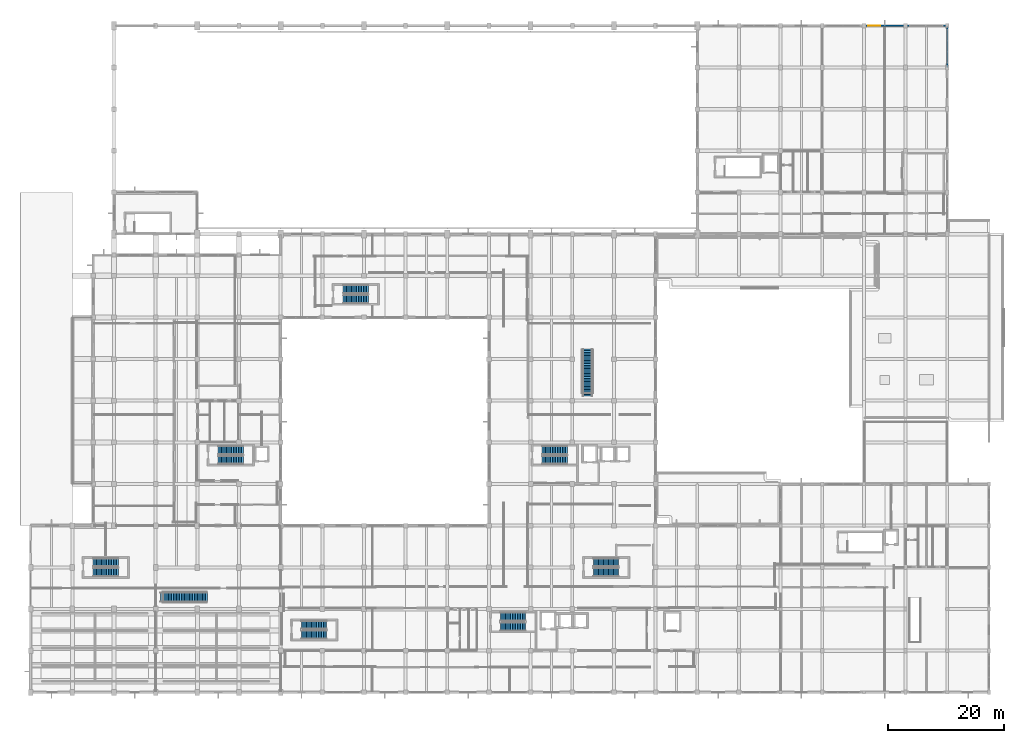
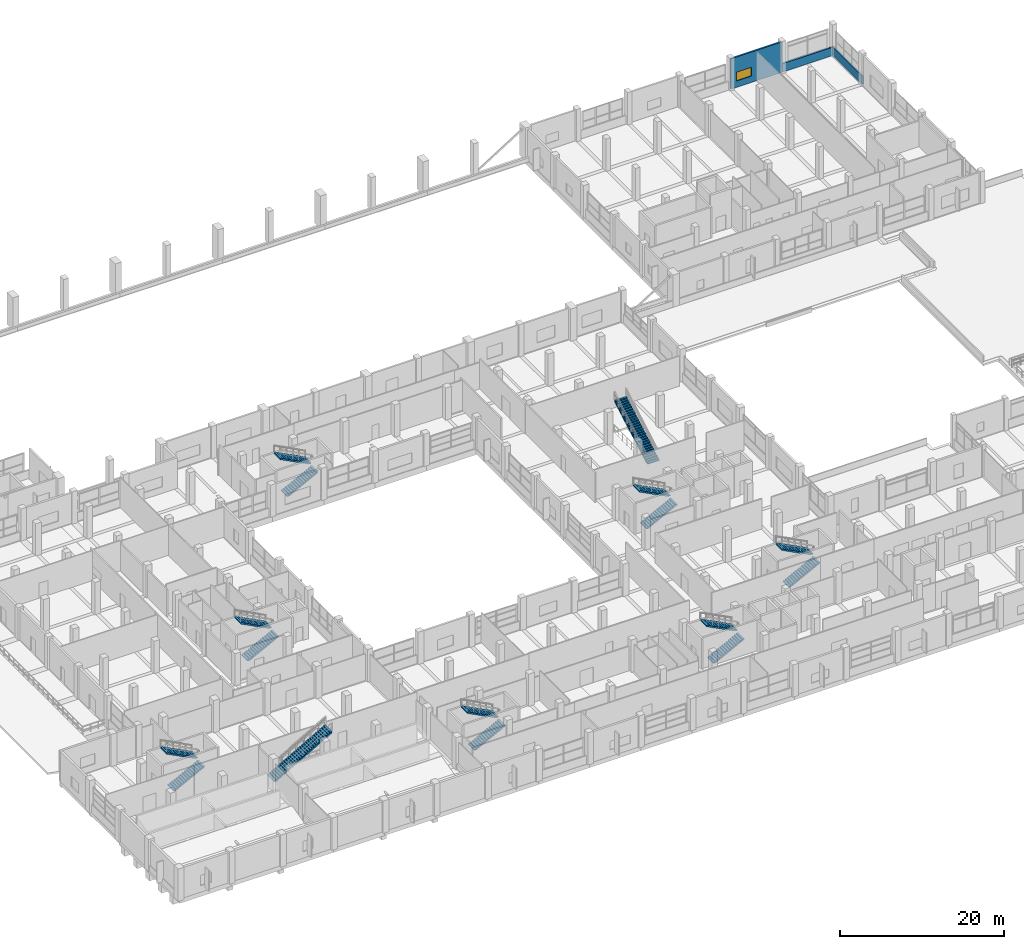
# One storey, part 131 of 140: 16 stair flights, 3 walls, 1 window, 1 opening, 9 elements without a shape of their own.
"""IFC4 building model written with IfcOpenShell, lengths in metres."""

from ifc_helpers import new_model, si_unit, direction, frame, frame_2d, origin, place, context, subcontext, project, spatial, polyline, rectangle, outline, extrude, material, layer, layer_set, type_object, element, fill, aggregate, save


model = new_model("IFC4")

# Units and contexts
model_context = context("Model", 3, precision=1e-05, world=origin(), true_north=direction((0.0, 1.0)))
body_context = subcontext(model_context, "Body", "Model", "MODEL_VIEW")
ifc_project = project(units=[si_unit("LENGTHUNIT", "METRE"), si_unit("AREAUNIT", "SQUARE_METRE"), si_unit("VOLUMEUNIT", "CUBIC_METRE"), si_unit("PLANEANGLEUNIT", "RADIAN"), si_unit("MASSUNIT", "GRAM", prefix="KILO")], contexts=[model_context])

# Site, building, storey
site_placement = place(None, origin())
site = spatial("IfcSite", under=ifc_project, at=site_placement, CompositionType="ELEMENT")
building_placement = place(site_placement, origin())
building = spatial("IfcBuilding", under=site, at=building_placement, Name="Seraya Terrace Polytechnic", CompositionType="ELEMENT")
storey_placement = place(building_placement, frame((0.0, 0.0, 9.60009765625)))
storey = spatial("IfcBuildingStorey", under=building, at=storey_placement, Name="L02", CompositionType="ELEMENT", Elevation=9.60009765625)

# Wall, opening, window
ifc_material_1 = material(Name="Concrete C40/50", Category="concrete")
ifc_layer_1 = layer(ifc_material_1, 0.239990234375, Name="EW-04")
ifc_layer_set_1 = layer_set([ifc_layer_1], Name="Concrete C40/50")
wall_type_1 = type_object("IfcWallType", Name="EW-04", PredefinedType="SOLIDWALL", material=ifc_layer_set_1)
wall_1_placement = place(storey_placement, frame((144.0, 115.199951171875, 0.0), z_axis=(0.0, 0.0, 1.0), x_axis=(1.0, 0.0, 0.0)))
wall_1 = element("IfcWall", 1, at=wall_1_placement, inside=storey, type_object=wall_type_1, Name="Exterior structural wall EW-04 L02", PredefinedType="SOLIDWALL", context=body_context, shape_type="SweptSolid", body=[
    extrude(rectangle(XDim=7.199951171875, YDim=0.239990234375, at=frame_2d((3.60009765625, 0.0))), origin(), (0.0, 0.0, 1.0), 4.52001953125),
])
opening_placement = place(wall_1_placement, frame((0.760009765625, 0.0, 0.949951171875)))
opening = element("IfcOpeningElement", 2, at=opening_placement, cuts=wall_1, Name="Opening WN-08", PredefinedType="OPENING", context=body_context, shape_type="SweptSolid", body=[
    extrude(rectangle(XDim=2.10009765625, YDim=1.300048828125, at=frame_2d((1.050048828125, 0.64990234375))), frame((0.0, 0.1318359375, 0.0), z_axis=(0.0, -1.0, 0.0), x_axis=(1.0, 0.0, 0.0)), (0.0, 0.0, 1.0), 0.263916015625),
])
ifc_material_2 = material(Name="Laminated solar-control Low-E double glazing", Category="glass")
window_type = type_object("IfcWindowType", Name="WN-08", PartitioningType="SINGLE_PANEL", PredefinedType="WINDOW", material=ifc_material_2)
window_placement = place(opening_placement, origin())
window = element("IfcWindow", 3, at=window_placement, inside=storey, type_object=window_type, Name="Exterior window WN-08 L02", OverallHeight=1.300048828125, OverallWidth=2.10009765625, PartitioningType="SINGLE_PANEL", PredefinedType="WINDOW", context=body_context, shape_type="SweptSolid", body=[
    extrude(rectangle(XDim=2.10009765625, YDim=1.300048828125, at=frame_2d((1.050048828125, 0.64990234375))), frame((0.0, 0.030029296875, 0.0), z_axis=(0.0, -1.0, 0.0), x_axis=(1.0, 0.0, 0.0)), (0.0, 0.0, 1.0), 0.06005859375),
])
fill(opening, window)

# Walls
ifc_material_3 = material(Name="Precast concrete C40/50", Category="concrete")
ifc_layer_2 = layer(ifc_material_3, 0.219970703125, Name="EW-05")
ifc_layer_set_2 = layer_set([ifc_layer_2], Name="Precast concrete C40/50")
wall_type_2 = type_object("IfcWallType", Name="EW-05", PredefinedType="SOLIDWALL", material=ifc_layer_set_2)
wall_2_placement = place(storey_placement, frame((158.39990234375, 115.048095703125, 0.0), z_axis=(0.0, 0.0, 1.0), x_axis=(0.0, -1.0, 0.0)))
element("IfcWall", 4, at=wall_2_placement, inside=storey, type_object=wall_type_2, Name="Precast spandrel wall L02", PredefinedType="SOLIDWALL", context=body_context, shape_type="SweptSolid", body=[
    extrude(rectangle(XDim=7.048095703125, YDim=0.219970703125, at=frame_2d((3.52392578125, 0.0))), origin(), (0.0, 0.0, 1.0), 1.239990234375),
])
wall_3_placement = place(storey_placement, frame((151.199951171875, 115.199951171875, 0.0), z_axis=(0.0, 0.0, 1.0), x_axis=(1.0, 0.0, 0.0)))
element("IfcWall", 5, at=wall_3_placement, inside=storey, type_object=wall_type_2, Name="Precast spandrel wall L02", PredefinedType="SOLIDWALL", context=body_context, shape_type="SweptSolid", body=[
    extrude(rectangle(XDim=7.35009765625, YDim=0.219970703125, at=frame_2d((3.675048828125, 0.0))), origin(), (0.0, 0.0, 1.0), 1.239990234375),
])

# Stair, stair flights
stair_type_1 = type_object("IfcStairType", Name="ST-T1", PredefinedType="HALF_TURN_STAIR", material=ifc_material_1)
stair_1_placement = place(storey_placement, origin())
stair_1 = element("IfcStair", 6, at=stair_1_placement, inside=storey, type_object=stair_type_1, Name="L02 Protected exit stair ST-01", PredefinedType="HALF_TURN_STAIR")
stair_flight_type_1 = type_object("IfcStairFlightType", Name="SF-01", PredefinedType="STRAIGHT", material=ifc_material_1)
stair_flight_1_placement = place(storey_placement, frame((81.199951171875, 11.35009765625, 0.0), z_axis=(0.0, 0.0, 1.0), x_axis=(1.0, 0.0, 0.0)))
stair_flight_1 = element("IfcStairFlight", 7, at=stair_flight_1_placement, type_object=stair_flight_type_1, Name="ST-01 flight 1", NumberOfRisers=16, NumberOfTreads=15, PredefinedType="STRAIGHT", RiserHeight=0.15, TreadLength=0.29, context=body_context, shape_type="SweptSolid", body=[
    extrude(outline(polyline([(0.0, 0.0), (0.0, 0.14990234375), (0.2900390625, 0.14990234375), (0.2900390625, 0.300048828125), (0.580078125, 0.300048828125), (0.580078125, 0.449951171875), (0.8701171875, 0.449951171875), (0.8701171875, 0.60009765625), (1.159912109375, 0.60009765625), (1.159912109375, 0.75), (1.449951171875, 0.75), (1.449951171875, 0.89990234375), (1.739990234375, 0.89990234375), (1.739990234375, 1.050048828125), (2.030029296875, 1.050048828125), (2.030029296875, 1.199951171875), (2.320068359375, 1.199951171875), (2.320068359375, 1.35009765625), (2.610107421875, 1.35009765625), (2.610107421875, 1.5), (2.89990234375, 1.5), (2.89990234375, 1.64990234375), (3.18994140625, 1.64990234375), (3.18994140625, 1.800048828125), (3.47998046875, 1.800048828125), (3.47998046875, 1.949951171875), (3.77001953125, 1.949951171875), (3.77001953125, 2.10009765625), (4.06005859375, 2.10009765625), (4.06005859375, 2.25), (4.35009765625, 2.25), (4.35009765625, 2.39990234375), (4.35009765625, 2.070068359375), (0.34814453125, 0.0), (0.0, 0.0)])), frame((0.0, 0.75, 0.0), z_axis=(0.0, -1.0, 0.0), x_axis=(1.0, 0.0, 0.0)), (0.0, 0.0, 1.0), 1.5),
])
stair_flight_2_placement = place(storey_placement, frame((85.550048828125, 13.050048828125, 2.39990234375), z_axis=(0.0, 0.0, 1.0), x_axis=(-1.0, 0.0, 0.0)))
stair_flight_2 = element("IfcStairFlight", 8, at=stair_flight_2_placement, type_object=stair_flight_type_1, Name="ST-01 flight 2", NumberOfRisers=16, NumberOfTreads=15, PredefinedType="STRAIGHT", RiserHeight=0.15, TreadLength=0.29, context=body_context, shape_type="SweptSolid", body=[
    extrude(outline(polyline([(0.0, 0.0), (0.0, 0.14990234375), (0.2900390625, 0.14990234375), (0.2900390625, 0.300048828125), (0.580078125, 0.300048828125), (0.580078125, 0.449951171875), (0.8701171875, 0.449951171875), (0.8701171875, 0.60009765625), (1.159912109375, 0.60009765625), (1.159912109375, 0.75), (1.449951171875, 0.75), (1.449951171875, 0.89990234375), (1.739990234375, 0.89990234375), (1.739990234375, 1.050048828125), (2.030029296875, 1.050048828125), (2.030029296875, 1.199951171875), (2.320068359375, 1.199951171875), (2.320068359375, 1.35009765625), (2.610107421875, 1.35009765625), (2.610107421875, 1.5), (2.89990234375, 1.5), (2.89990234375, 1.64990234375), (3.18994140625, 1.64990234375), (3.18994140625, 1.800048828125), (3.47998046875, 1.800048828125), (3.47998046875, 1.949951171875), (3.77001953125, 1.949951171875), (3.77001953125, 2.10009765625), (4.06005859375, 2.10009765625), (4.06005859375, 2.25), (4.35009765625, 2.25), (4.35009765625, 2.39990234375), (4.35009765625, 2.070068359375), (0.34814453125, 0.0), (0.0, 0.0)])), frame((0.0, 0.75, 0.0), z_axis=(0.0, -1.0, 0.0), x_axis=(1.0, 0.0, 0.0)), (0.0, 0.0, 1.0), 1.5),
])
aggregate(stair_1, [stair_flight_1, stair_flight_2])

stair_2_placement = place(storey_placement, origin())
stair_2 = element("IfcStair", 9, at=stair_2_placement, inside=storey, type_object=stair_type_1, Name="L02 Protected exit stair ST-02", PredefinedType="HALF_TURN_STAIR")
stair_flight_3_placement = place(storey_placement, frame((88.39990234375, 40.14990234375, 0.0), z_axis=(0.0, 0.0, 1.0), x_axis=(1.0, 0.0, 0.0)))
stair_flight_3 = element("IfcStairFlight", 10, at=stair_flight_3_placement, type_object=stair_flight_type_1, Name="ST-02 flight 1", NumberOfRisers=16, NumberOfTreads=15, PredefinedType="STRAIGHT", RiserHeight=0.15, TreadLength=0.29, context=body_context, shape_type="SweptSolid", body=[
    extrude(outline(polyline([(0.0, 0.0), (0.0, 0.14990234375), (0.2900390625, 0.14990234375), (0.2900390625, 0.300048828125), (0.580078125, 0.300048828125), (0.580078125, 0.449951171875), (0.8701171875, 0.449951171875), (0.8701171875, 0.60009765625), (1.159912109375, 0.60009765625), (1.159912109375, 0.75), (1.449951171875, 0.75), (1.449951171875, 0.89990234375), (1.739990234375, 0.89990234375), (1.739990234375, 1.050048828125), (2.030029296875, 1.050048828125), (2.030029296875, 1.199951171875), (2.320068359375, 1.199951171875), (2.320068359375, 1.35009765625), (2.610107421875, 1.35009765625), (2.610107421875, 1.5), (2.89990234375, 1.5), (2.89990234375, 1.64990234375), (3.18994140625, 1.64990234375), (3.18994140625, 1.800048828125), (3.47998046875, 1.800048828125), (3.47998046875, 1.949951171875), (3.77001953125, 1.949951171875), (3.77001953125, 2.10009765625), (4.06005859375, 2.10009765625), (4.06005859375, 2.25), (4.35009765625, 2.25), (4.35009765625, 2.39990234375), (4.35009765625, 2.070068359375), (0.34814453125, 0.0), (0.0, 0.0)])), frame((0.0, 0.75, 0.0), z_axis=(0.0, -1.0, 0.0), x_axis=(1.0, 0.0, 0.0)), (0.0, 0.0, 1.0), 1.5),
])
stair_flight_4_placement = place(storey_placement, frame((92.75, 41.85009765625, 2.39990234375), z_axis=(0.0, 0.0, 1.0), x_axis=(-1.0, 0.0, 0.0)))
stair_flight_4 = element("IfcStairFlight", 11, at=stair_flight_4_placement, type_object=stair_flight_type_1, Name="ST-02 flight 2", NumberOfRisers=16, NumberOfTreads=15, PredefinedType="STRAIGHT", RiserHeight=0.15, TreadLength=0.29, context=body_context, shape_type="SweptSolid", body=[
    extrude(outline(polyline([(0.0, 0.0), (0.0, 0.14990234375), (0.2900390625, 0.14990234375), (0.2900390625, 0.300048828125), (0.580078125, 0.300048828125), (0.580078125, 0.449951171875), (0.8701171875, 0.449951171875), (0.8701171875, 0.60009765625), (1.159912109375, 0.60009765625), (1.159912109375, 0.75), (1.449951171875, 0.75), (1.449951171875, 0.89990234375), (1.739990234375, 0.89990234375), (1.739990234375, 1.050048828125), (2.030029296875, 1.050048828125), (2.030029296875, 1.199951171875), (2.320068359375, 1.199951171875), (2.320068359375, 1.35009765625), (2.610107421875, 1.35009765625), (2.610107421875, 1.5), (2.89990234375, 1.5), (2.89990234375, 1.64990234375), (3.18994140625, 1.64990234375), (3.18994140625, 1.800048828125), (3.47998046875, 1.800048828125), (3.47998046875, 1.949951171875), (3.77001953125, 1.949951171875), (3.77001953125, 2.10009765625), (4.06005859375, 2.10009765625), (4.06005859375, 2.25), (4.35009765625, 2.25), (4.35009765625, 2.39990234375), (4.35009765625, 2.070068359375), (0.34814453125, 0.0), (0.0, 0.0)])), frame((0.0, 0.75, 0.0), z_axis=(0.0, -1.0, 0.0), x_axis=(1.0, 0.0, 0.0)), (0.0, 0.0, 1.0), 1.5),
])
aggregate(stair_2, [stair_flight_3, stair_flight_4])

stair_3_placement = place(storey_placement, origin())
stair_3 = element("IfcStair", 12, at=stair_3_placement, inside=storey, type_object=stair_type_1, Name="L02 Protected exit stair ST-03", PredefinedType="HALF_TURN_STAIR")
stair_flight_5_placement = place(storey_placement, frame((46.800048828125, 9.949951171875, 0.0), z_axis=(0.0, 0.0, 1.0), x_axis=(1.0, 0.0, 0.0)))
stair_flight_5 = element("IfcStairFlight", 13, at=stair_flight_5_placement, type_object=stair_flight_type_1, Name="ST-03 flight 1", NumberOfRisers=16, NumberOfTreads=15, PredefinedType="STRAIGHT", RiserHeight=0.15, TreadLength=0.29, context=body_context, shape_type="SweptSolid", body=[
    extrude(outline(polyline([(0.0, 0.0), (0.0, 0.14990234375), (0.2900390625, 0.14990234375), (0.2900390625, 0.300048828125), (0.580078125, 0.300048828125), (0.580078125, 0.449951171875), (0.8701171875, 0.449951171875), (0.8701171875, 0.60009765625), (1.159912109375, 0.60009765625), (1.159912109375, 0.75), (1.449951171875, 0.75), (1.449951171875, 0.89990234375), (1.739990234375, 0.89990234375), (1.739990234375, 1.050048828125), (2.030029296875, 1.050048828125), (2.030029296875, 1.199951171875), (2.320068359375, 1.199951171875), (2.320068359375, 1.35009765625), (2.610107421875, 1.35009765625), (2.610107421875, 1.5), (2.89990234375, 1.5), (2.89990234375, 1.64990234375), (3.18994140625, 1.64990234375), (3.18994140625, 1.800048828125), (3.47998046875, 1.800048828125), (3.47998046875, 1.949951171875), (3.77001953125, 1.949951171875), (3.77001953125, 2.10009765625), (4.06005859375, 2.10009765625), (4.06005859375, 2.25), (4.35009765625, 2.25), (4.35009765625, 2.39990234375), (4.35009765625, 2.070068359375), (0.34814453125, 0.0), (0.0, 0.0)])), frame((0.0, 0.75, 0.0), z_axis=(0.0, -1.0, 0.0), x_axis=(1.0, 0.0, 0.0)), (0.0, 0.0, 1.0), 1.5),
])
stair_flight_6_placement = place(storey_placement, frame((51.14990234375, 11.64990234375, 2.39990234375), z_axis=(0.0, 0.0, 1.0), x_axis=(-1.0, 0.0, 0.0)))
stair_flight_6 = element("IfcStairFlight", 14, at=stair_flight_6_placement, type_object=stair_flight_type_1, Name="ST-03 flight 2", NumberOfRisers=16, NumberOfTreads=15, PredefinedType="STRAIGHT", RiserHeight=0.15, TreadLength=0.29, context=body_context, shape_type="SweptSolid", body=[
    extrude(outline(polyline([(0.0, 0.0), (0.0, 0.14990234375), (0.2900390625, 0.14990234375), (0.2900390625, 0.300048828125), (0.580078125, 0.300048828125), (0.580078125, 0.449951171875), (0.8701171875, 0.449951171875), (0.8701171875, 0.60009765625), (1.159912109375, 0.60009765625), (1.159912109375, 0.75), (1.449951171875, 0.75), (1.449951171875, 0.89990234375), (1.739990234375, 0.89990234375), (1.739990234375, 1.050048828125), (2.030029296875, 1.050048828125), (2.030029296875, 1.199951171875), (2.320068359375, 1.199951171875), (2.320068359375, 1.35009765625), (2.610107421875, 1.35009765625), (2.610107421875, 1.5), (2.89990234375, 1.5), (2.89990234375, 1.64990234375), (3.18994140625, 1.64990234375), (3.18994140625, 1.800048828125), (3.47998046875, 1.800048828125), (3.47998046875, 1.949951171875), (3.77001953125, 1.949951171875), (3.77001953125, 2.10009765625), (4.06005859375, 2.10009765625), (4.06005859375, 2.25), (4.35009765625, 2.25), (4.35009765625, 2.39990234375), (4.35009765625, 2.070068359375), (0.34814453125, 0.0), (0.0, 0.0)])), frame((0.0, 0.75, 0.0), z_axis=(0.0, -1.0, 0.0), x_axis=(1.0, 0.0, 0.0)), (0.0, 0.0, 1.0), 1.5),
])
aggregate(stair_3, [stair_flight_5, stair_flight_6])

stair_4_placement = place(storey_placement, origin())
stair_4 = element("IfcStair", 15, at=stair_4_placement, inside=storey, type_object=stair_type_1, Name="L02 Protected exit stair ST-04", PredefinedType="HALF_TURN_STAIR")
stair_flight_7_placement = place(storey_placement, frame((32.39990234375, 40.14990234375, 0.0), z_axis=(0.0, 0.0, 1.0), x_axis=(1.0, 0.0, 0.0)))
stair_flight_7 = element("IfcStairFlight", 16, at=stair_flight_7_placement, type_object=stair_flight_type_1, Name="ST-04 flight 1", NumberOfRisers=16, NumberOfTreads=15, PredefinedType="STRAIGHT", RiserHeight=0.15, TreadLength=0.29, context=body_context, shape_type="SweptSolid", body=[
    extrude(outline(polyline([(0.0, 0.0), (0.0, 0.14990234375), (0.2900390625, 0.14990234375), (0.2900390625, 0.300048828125), (0.580078125, 0.300048828125), (0.580078125, 0.449951171875), (0.8701171875, 0.449951171875), (0.8701171875, 0.60009765625), (1.159912109375, 0.60009765625), (1.159912109375, 0.75), (1.449951171875, 0.75), (1.449951171875, 0.89990234375), (1.739990234375, 0.89990234375), (1.739990234375, 1.050048828125), (2.030029296875, 1.050048828125), (2.030029296875, 1.199951171875), (2.320068359375, 1.199951171875), (2.320068359375, 1.35009765625), (2.610107421875, 1.35009765625), (2.610107421875, 1.5), (2.89990234375, 1.5), (2.89990234375, 1.64990234375), (3.18994140625, 1.64990234375), (3.18994140625, 1.800048828125), (3.47998046875, 1.800048828125), (3.47998046875, 1.949951171875), (3.77001953125, 1.949951171875), (3.77001953125, 2.10009765625), (4.06005859375, 2.10009765625), (4.06005859375, 2.25), (4.35009765625, 2.25), (4.35009765625, 2.39990234375), (4.35009765625, 2.070068359375), (0.34814453125, 0.0), (0.0, 0.0)])), frame((0.0, 0.75, 0.0), z_axis=(0.0, -1.0, 0.0), x_axis=(1.0, 0.0, 0.0)), (0.0, 0.0, 1.0), 1.5),
])
stair_flight_8_placement = place(storey_placement, frame((36.75, 41.85009765625, 2.39990234375), z_axis=(0.0, 0.0, 1.0), x_axis=(-1.0, 0.0, 0.0)))
stair_flight_8 = element("IfcStairFlight", 17, at=stair_flight_8_placement, type_object=stair_flight_type_1, Name="ST-04 flight 2", NumberOfRisers=16, NumberOfTreads=15, PredefinedType="STRAIGHT", RiserHeight=0.15, TreadLength=0.29, context=body_context, shape_type="SweptSolid", body=[
    extrude(outline(polyline([(0.0, 0.0), (0.0, 0.14990234375), (0.2900390625, 0.14990234375), (0.2900390625, 0.300048828125), (0.580078125, 0.300048828125), (0.580078125, 0.449951171875), (0.8701171875, 0.449951171875), (0.8701171875, 0.60009765625), (1.159912109375, 0.60009765625), (1.159912109375, 0.75), (1.449951171875, 0.75), (1.449951171875, 0.89990234375), (1.739990234375, 0.89990234375), (1.739990234375, 1.050048828125), (2.030029296875, 1.050048828125), (2.030029296875, 1.199951171875), (2.320068359375, 1.199951171875), (2.320068359375, 1.35009765625), (2.610107421875, 1.35009765625), (2.610107421875, 1.5), (2.89990234375, 1.5), (2.89990234375, 1.64990234375), (3.18994140625, 1.64990234375), (3.18994140625, 1.800048828125), (3.47998046875, 1.800048828125), (3.47998046875, 1.949951171875), (3.77001953125, 1.949951171875), (3.77001953125, 2.10009765625), (4.06005859375, 2.10009765625), (4.06005859375, 2.25), (4.35009765625, 2.25), (4.35009765625, 2.39990234375), (4.35009765625, 2.070068359375), (0.34814453125, 0.0), (0.0, 0.0)])), frame((0.0, 0.75, 0.0), z_axis=(0.0, -1.0, 0.0), x_axis=(1.0, 0.0, 0.0)), (0.0, 0.0, 1.0), 1.5),
])
aggregate(stair_4, [stair_flight_7, stair_flight_8])

stair_5_placement = place(storey_placement, origin())
stair_5 = element("IfcStair", 18, at=stair_5_placement, inside=storey, type_object=stair_type_1, Name="L02 Protected exit stair ST-05", PredefinedType="HALF_TURN_STAIR")
stair_flight_9_placement = place(storey_placement, frame((97.25, 20.75, 0.0), z_axis=(0.0, 0.0, 1.0), x_axis=(1.0, 0.0, 0.0)))
stair_flight_9 = element("IfcStairFlight", 19, at=stair_flight_9_placement, type_object=stair_flight_type_1, Name="ST-05 flight 1", NumberOfRisers=16, NumberOfTreads=15, PredefinedType="STRAIGHT", RiserHeight=0.15, TreadLength=0.29, context=body_context, shape_type="SweptSolid", body=[
    extrude(outline(polyline([(0.0, 0.0), (0.0, 0.14990234375), (0.2900390625, 0.14990234375), (0.2900390625, 0.300048828125), (0.580078125, 0.300048828125), (0.580078125, 0.449951171875), (0.8701171875, 0.449951171875), (0.8701171875, 0.60009765625), (1.159912109375, 0.60009765625), (1.159912109375, 0.75), (1.449951171875, 0.75), (1.449951171875, 0.89990234375), (1.739990234375, 0.89990234375), (1.739990234375, 1.050048828125), (2.030029296875, 1.050048828125), (2.030029296875, 1.199951171875), (2.320068359375, 1.199951171875), (2.320068359375, 1.35009765625), (2.610107421875, 1.35009765625), (2.610107421875, 1.5), (2.89990234375, 1.5), (2.89990234375, 1.64990234375), (3.18994140625, 1.64990234375), (3.18994140625, 1.800048828125), (3.47998046875, 1.800048828125), (3.47998046875, 1.949951171875), (3.77001953125, 1.949951171875), (3.77001953125, 2.10009765625), (4.06005859375, 2.10009765625), (4.06005859375, 2.25), (4.35009765625, 2.25), (4.35009765625, 2.39990234375), (4.35009765625, 2.070068359375), (0.34814453125, 0.0), (0.0, 0.0)])), frame((0.0, 0.75, 0.0), z_axis=(0.0, -1.0, 0.0), x_axis=(1.0, 0.0, 0.0)), (0.0, 0.0, 1.0), 1.5),
])
stair_flight_10_placement = place(storey_placement, frame((101.60009765625, 22.449951171875, 2.39990234375), z_axis=(0.0, 0.0, 1.0), x_axis=(-1.0, 0.0, 0.0)))
stair_flight_10 = element("IfcStairFlight", 20, at=stair_flight_10_placement, type_object=stair_flight_type_1, Name="ST-05 flight 2", NumberOfRisers=16, NumberOfTreads=15, PredefinedType="STRAIGHT", RiserHeight=0.15, TreadLength=0.29, context=body_context, shape_type="SweptSolid", body=[
    extrude(outline(polyline([(0.0, 0.0), (0.0, 0.14990234375), (0.2900390625, 0.14990234375), (0.2900390625, 0.300048828125), (0.580078125, 0.300048828125), (0.580078125, 0.449951171875), (0.8701171875, 0.449951171875), (0.8701171875, 0.60009765625), (1.159912109375, 0.60009765625), (1.159912109375, 0.75), (1.449951171875, 0.75), (1.449951171875, 0.89990234375), (1.739990234375, 0.89990234375), (1.739990234375, 1.050048828125), (2.030029296875, 1.050048828125), (2.030029296875, 1.199951171875), (2.320068359375, 1.199951171875), (2.320068359375, 1.35009765625), (2.610107421875, 1.35009765625), (2.610107421875, 1.5), (2.89990234375, 1.5), (2.89990234375, 1.64990234375), (3.18994140625, 1.64990234375), (3.18994140625, 1.800048828125), (3.47998046875, 1.800048828125), (3.47998046875, 1.949951171875), (3.77001953125, 1.949951171875), (3.77001953125, 2.10009765625), (4.06005859375, 2.10009765625), (4.06005859375, 2.25), (4.35009765625, 2.25), (4.35009765625, 2.39990234375), (4.35009765625, 2.070068359375), (0.34814453125, 0.0), (0.0, 0.0)])), frame((0.0, 0.75, 0.0), z_axis=(0.0, -1.0, 0.0), x_axis=(1.0, 0.0, 0.0)), (0.0, 0.0, 1.0), 1.5),
])
aggregate(stair_5, [stair_flight_9, stair_flight_10])

stair_6_placement = place(storey_placement, origin())
stair_6 = element("IfcStair", 21, at=stair_6_placement, inside=storey, type_object=stair_type_1, Name="L02 Protected exit stair ST-06", PredefinedType="HALF_TURN_STAIR")
stair_flight_11_placement = place(storey_placement, frame((54.0, 67.949951171875, 0.0), z_axis=(0.0, 0.0, 1.0), x_axis=(1.0, 0.0, 0.0)))
stair_flight_11 = element("IfcStairFlight", 22, at=stair_flight_11_placement, type_object=stair_flight_type_1, Name="ST-06 flight 1", NumberOfRisers=16, NumberOfTreads=15, PredefinedType="STRAIGHT", RiserHeight=0.15, TreadLength=0.29, context=body_context, shape_type="SweptSolid", body=[
    extrude(outline(polyline([(0.0, 0.0), (0.0, 0.14990234375), (0.2900390625, 0.14990234375), (0.2900390625, 0.300048828125), (0.580078125, 0.300048828125), (0.580078125, 0.449951171875), (0.8701171875, 0.449951171875), (0.8701171875, 0.60009765625), (1.159912109375, 0.60009765625), (1.159912109375, 0.75), (1.449951171875, 0.75), (1.449951171875, 0.89990234375), (1.739990234375, 0.89990234375), (1.739990234375, 1.050048828125), (2.030029296875, 1.050048828125), (2.030029296875, 1.199951171875), (2.320068359375, 1.199951171875), (2.320068359375, 1.35009765625), (2.610107421875, 1.35009765625), (2.610107421875, 1.5), (2.89990234375, 1.5), (2.89990234375, 1.64990234375), (3.18994140625, 1.64990234375), (3.18994140625, 1.800048828125), (3.47998046875, 1.800048828125), (3.47998046875, 1.949951171875), (3.77001953125, 1.949951171875), (3.77001953125, 2.10009765625), (4.06005859375, 2.10009765625), (4.06005859375, 2.25), (4.35009765625, 2.25), (4.35009765625, 2.39990234375), (4.35009765625, 2.070068359375), (0.34814453125, 0.0), (0.0, 0.0)])), frame((0.0, 0.75, 0.0), z_axis=(0.0, -1.0, 0.0), x_axis=(1.0, 0.0, 0.0)), (0.0, 0.0, 1.0), 1.5),
])
stair_flight_12_placement = place(storey_placement, frame((58.35009765625, 69.64990234375, 2.39990234375), z_axis=(0.0, 0.0, 1.0), x_axis=(-1.0, 0.0, 0.0)))
stair_flight_12 = element("IfcStairFlight", 23, at=stair_flight_12_placement, type_object=stair_flight_type_1, Name="ST-06 flight 2", NumberOfRisers=16, NumberOfTreads=15, PredefinedType="STRAIGHT", RiserHeight=0.15, TreadLength=0.29, context=body_context, shape_type="SweptSolid", body=[
    extrude(outline(polyline([(0.0, 0.0), (0.0, 0.14990234375), (0.2900390625, 0.14990234375), (0.2900390625, 0.300048828125), (0.580078125, 0.300048828125), (0.580078125, 0.449951171875), (0.8701171875, 0.449951171875), (0.8701171875, 0.60009765625), (1.159912109375, 0.60009765625), (1.159912109375, 0.75), (1.449951171875, 0.75), (1.449951171875, 0.89990234375), (1.739990234375, 0.89990234375), (1.739990234375, 1.050048828125), (2.030029296875, 1.050048828125), (2.030029296875, 1.199951171875), (2.320068359375, 1.199951171875), (2.320068359375, 1.35009765625), (2.610107421875, 1.35009765625), (2.610107421875, 1.5), (2.89990234375, 1.5), (2.89990234375, 1.64990234375), (3.18994140625, 1.64990234375), (3.18994140625, 1.800048828125), (3.47998046875, 1.800048828125), (3.47998046875, 1.949951171875), (3.77001953125, 1.949951171875), (3.77001953125, 2.10009765625), (4.06005859375, 2.10009765625), (4.06005859375, 2.25), (4.35009765625, 2.25), (4.35009765625, 2.39990234375), (4.35009765625, 2.070068359375), (0.34814453125, 0.0), (0.0, 0.0)])), frame((0.0, 0.75, 0.0), z_axis=(0.0, -1.0, 0.0), x_axis=(1.0, 0.0, 0.0)), (0.0, 0.0, 1.0), 1.5),
])
aggregate(stair_6, [stair_flight_11, stair_flight_12])

stair_7_placement = place(storey_placement, origin())
stair_7 = element("IfcStair", 24, at=stair_7_placement, inside=storey, type_object=stair_type_1, Name="L02 Protected exit stair ST-09", PredefinedType="HALF_TURN_STAIR")
stair_flight_13_placement = place(storey_placement, frame((10.800048828125, 20.75, 0.0), z_axis=(0.0, 0.0, 1.0), x_axis=(1.0, 0.0, 0.0)))
stair_flight_13 = element("IfcStairFlight", 25, at=stair_flight_13_placement, type_object=stair_flight_type_1, Name="ST-09 flight 1", NumberOfRisers=16, NumberOfTreads=15, PredefinedType="STRAIGHT", RiserHeight=0.15, TreadLength=0.29, context=body_context, shape_type="SweptSolid", body=[
    extrude(outline(polyline([(0.0, 0.0), (0.0, 0.14990234375), (0.2900390625, 0.14990234375), (0.2900390625, 0.300048828125), (0.580078125, 0.300048828125), (0.580078125, 0.449951171875), (0.8701171875, 0.449951171875), (0.8701171875, 0.60009765625), (1.159912109375, 0.60009765625), (1.159912109375, 0.75), (1.449951171875, 0.75), (1.449951171875, 0.89990234375), (1.739990234375, 0.89990234375), (1.739990234375, 1.050048828125), (2.030029296875, 1.050048828125), (2.030029296875, 1.199951171875), (2.320068359375, 1.199951171875), (2.320068359375, 1.35009765625), (2.610107421875, 1.35009765625), (2.610107421875, 1.5), (2.89990234375, 1.5), (2.89990234375, 1.64990234375), (3.18994140625, 1.64990234375), (3.18994140625, 1.800048828125), (3.47998046875, 1.800048828125), (3.47998046875, 1.949951171875), (3.77001953125, 1.949951171875), (3.77001953125, 2.10009765625), (4.06005859375, 2.10009765625), (4.06005859375, 2.25), (4.35009765625, 2.25), (4.35009765625, 2.39990234375), (4.35009765625, 2.070068359375), (0.34814453125, 0.0), (0.0, 0.0)])), frame((0.0, 0.75, 0.0), z_axis=(0.0, -1.0, 0.0), x_axis=(1.0, 0.0, 0.0)), (0.0, 0.0, 1.0), 1.5),
])
stair_flight_14_placement = place(storey_placement, frame((15.14990234375, 22.449951171875, 2.39990234375), z_axis=(0.0, 0.0, 1.0), x_axis=(-1.0, 0.0, 0.0)))
stair_flight_14 = element("IfcStairFlight", 26, at=stair_flight_14_placement, type_object=stair_flight_type_1, Name="ST-09 flight 2", NumberOfRisers=16, NumberOfTreads=15, PredefinedType="STRAIGHT", RiserHeight=0.15, TreadLength=0.29, context=body_context, shape_type="SweptSolid", body=[
    extrude(outline(polyline([(0.0, 0.0), (0.0, 0.14990234375), (0.2900390625, 0.14990234375), (0.2900390625, 0.300048828125), (0.580078125, 0.300048828125), (0.580078125, 0.449951171875), (0.8701171875, 0.449951171875), (0.8701171875, 0.60009765625), (1.159912109375, 0.60009765625), (1.159912109375, 0.75), (1.449951171875, 0.75), (1.449951171875, 0.89990234375), (1.739990234375, 0.89990234375), (1.739990234375, 1.050048828125), (2.030029296875, 1.050048828125), (2.030029296875, 1.199951171875), (2.320068359375, 1.199951171875), (2.320068359375, 1.35009765625), (2.610107421875, 1.35009765625), (2.610107421875, 1.5), (2.89990234375, 1.5), (2.89990234375, 1.64990234375), (3.18994140625, 1.64990234375), (3.18994140625, 1.800048828125), (3.47998046875, 1.800048828125), (3.47998046875, 1.949951171875), (3.77001953125, 1.949951171875), (3.77001953125, 2.10009765625), (4.06005859375, 2.10009765625), (4.06005859375, 2.25), (4.35009765625, 2.25), (4.35009765625, 2.39990234375), (4.35009765625, 2.070068359375), (0.34814453125, 0.0), (0.0, 0.0)])), frame((0.0, 0.75, 0.0), z_axis=(0.0, -1.0, 0.0), x_axis=(1.0, 0.0, 0.0)), (0.0, 0.0, 1.0), 1.5),
])
aggregate(stair_7, [stair_flight_13, stair_flight_14])

# Stair, stair flight
stair_type_2 = type_object("IfcStairType", Name="ST-T4", PredefinedType="STRAIGHT_RUN_STAIR", material=ifc_material_1)
stair_8_placement = place(storey_placement, origin())
stair_8 = element("IfcStair", 27, at=stair_8_placement, inside=storey, type_object=stair_type_2, Name="Architectural straight stair ST-15 L02", PredefinedType="STRAIGHT_RUN_STAIR")
stair_flight_type_2 = type_object("IfcStairFlightType", Name="SF-04", PredefinedType="STRAIGHT", material=ifc_material_1)
stair_flight_15_placement = place(storey_placement, frame((22.39990234375, 16.43994140625, 0.0), z_axis=(0.0, 0.0, 1.0), x_axis=(1.0, 0.0, 0.0)))
stair_flight_15 = element("IfcStairFlight", 28, at=stair_flight_15_placement, type_object=stair_flight_type_2, Name="ST-15 flight 1", NumberOfRisers=30, NumberOfTreads=29, PredefinedType="STRAIGHT", RiserHeight=0.16, TreadLength=0.28, context=body_context, shape_type="SweptSolid", body=[
    extrude(outline(polyline([(0.0, 0.0), (0.0, 0.159912109375), (0.280029296875, 0.159912109375), (0.280029296875, 0.320068359375), (0.56005859375, 0.320068359375), (0.56005859375, 0.47998046875), (0.840087890625, 0.47998046875), (0.840087890625, 0.639892578125), (1.1201171875, 0.639892578125), (1.1201171875, 0.800048828125), (1.39990234375, 0.800048828125), (1.39990234375, 0.9599609375), (1.679931640625, 0.9599609375), (1.679931640625, 1.1201171875), (1.9599609375, 1.1201171875), (1.9599609375, 1.280029296875), (2.239990234375, 1.280029296875), (2.239990234375, 1.43994140625), (2.52001953125, 1.43994140625), (2.52001953125, 1.60009765625), (2.800048828125, 1.60009765625), (2.800048828125, 1.760009765625), (3.080078125, 1.760009765625), (3.080078125, 1.919921875), (3.360107421875, 1.919921875), (3.360107421875, 2.080078125), (3.639892578125, 2.080078125), (3.639892578125, 2.239990234375), (3.919921875, 2.239990234375), (3.919921875, 2.39990234375), (4.199951171875, 2.39990234375), (4.199951171875, 2.56005859375), (4.47998046875, 2.56005859375), (4.47998046875, 2.719970703125), (4.760009765625, 2.719970703125), (4.760009765625, 2.8798828125), (5.0400390625, 2.8798828125), (5.0400390625, 3.0400390625), (5.320068359375, 3.0400390625), (5.320068359375, 3.199951171875), (5.60009765625, 3.199951171875), (5.60009765625, 3.360107421875), (5.8798828125, 3.360107421875), (5.8798828125, 3.52001953125), (6.159912109375, 3.52001953125), (6.159912109375, 3.679931640625), (6.43994140625, 3.679931640625), (6.43994140625, 3.840087890625), (6.719970703125, 3.840087890625), (6.719970703125, 4.0), (7.0, 4.0), (7.0, 4.159912109375), (7.280029296875, 4.159912109375), (7.280029296875, 4.320068359375), (7.56005859375, 4.320068359375), (7.56005859375, 4.47998046875), (7.840087890625, 4.47998046875), (7.840087890625, 4.639892578125), (8.1201171875, 4.639892578125), (8.1201171875, 4.800048828125), (8.1201171875, 4.432861328125), (0.362548828125, 0.0), (0.0, 0.0)])), frame((0.0, 0.83984375, 0.0), z_axis=(0.0, -1.0, 0.0), x_axis=(1.0, 0.0, 0.0)), (0.0, 0.0, 1.0), 1.679931640625),
])
aggregate(stair_8, [stair_flight_15])

stair_9_placement = place(storey_placement, origin())
stair_9 = element("IfcStair", 29, at=stair_9_placement, inside=storey, type_object=stair_type_2, Name="Architectural straight stair ST-16 L02", PredefinedType="STRAIGHT_RUN_STAIR")
stair_flight_16_placement = place(storey_placement, frame((96.239990234375, 51.199951171875, 0.0), z_axis=(0.0, 0.0, 1.0), x_axis=(0.0, 1.0, 0.0)))
stair_flight_16 = element("IfcStairFlight", 30, at=stair_flight_16_placement, type_object=stair_flight_type_2, Name="ST-16 flight 1", NumberOfRisers=30, NumberOfTreads=29, PredefinedType="STRAIGHT", RiserHeight=0.16, TreadLength=0.28, context=body_context, shape_type="SweptSolid", body=[
    extrude(outline(polyline([(0.0, 0.0), (0.0, 0.159912109375), (0.280029296875, 0.159912109375), (0.280029296875, 0.320068359375), (0.56005859375, 0.320068359375), (0.56005859375, 0.47998046875), (0.840087890625, 0.47998046875), (0.840087890625, 0.639892578125), (1.1201171875, 0.639892578125), (1.1201171875, 0.800048828125), (1.39990234375, 0.800048828125), (1.39990234375, 0.9599609375), (1.679931640625, 0.9599609375), (1.679931640625, 1.1201171875), (1.9599609375, 1.1201171875), (1.9599609375, 1.280029296875), (2.239990234375, 1.280029296875), (2.239990234375, 1.43994140625), (2.52001953125, 1.43994140625), (2.52001953125, 1.60009765625), (2.800048828125, 1.60009765625), (2.800048828125, 1.760009765625), (3.080078125, 1.760009765625), (3.080078125, 1.919921875), (3.360107421875, 1.919921875), (3.360107421875, 2.080078125), (3.639892578125, 2.080078125), (3.639892578125, 2.239990234375), (3.919921875, 2.239990234375), (3.919921875, 2.39990234375), (4.199951171875, 2.39990234375), (4.199951171875, 2.56005859375), (4.47998046875, 2.56005859375), (4.47998046875, 2.719970703125), (4.760009765625, 2.719970703125), (4.760009765625, 2.8798828125), (5.0400390625, 2.8798828125), (5.0400390625, 3.0400390625), (5.320068359375, 3.0400390625), (5.320068359375, 3.199951171875), (5.60009765625, 3.199951171875), (5.60009765625, 3.360107421875), (5.8798828125, 3.360107421875), (5.8798828125, 3.52001953125), (6.159912109375, 3.52001953125), (6.159912109375, 3.679931640625), (6.43994140625, 3.679931640625), (6.43994140625, 3.840087890625), (6.719970703125, 3.840087890625), (6.719970703125, 4.0), (7.0, 4.0), (7.0, 4.159912109375), (7.280029296875, 4.159912109375), (7.280029296875, 4.320068359375), (7.56005859375, 4.320068359375), (7.56005859375, 4.47998046875), (7.840087890625, 4.47998046875), (7.840087890625, 4.639892578125), (8.1201171875, 4.639892578125), (8.1201171875, 4.800048828125), (8.1201171875, 4.432861328125), (0.362548828125, 0.0), (0.0, 0.0)])), frame((0.0, 0.83984375, 0.0), z_axis=(0.0, -1.0, 0.0), x_axis=(1.0, 0.0, 0.0)), (0.0, 0.0, 1.0), 1.679931640625),
])
aggregate(stair_9, [stair_flight_16])

save(model, "model.ifc")
